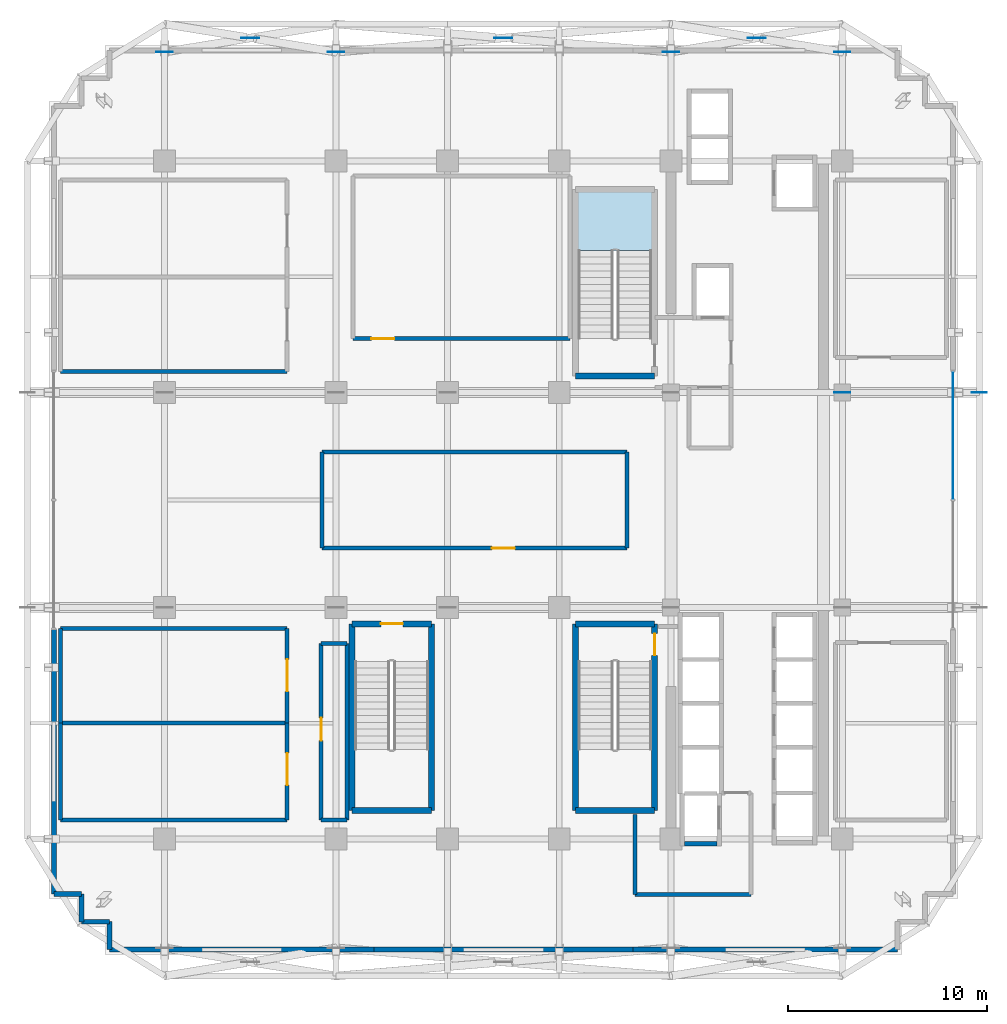
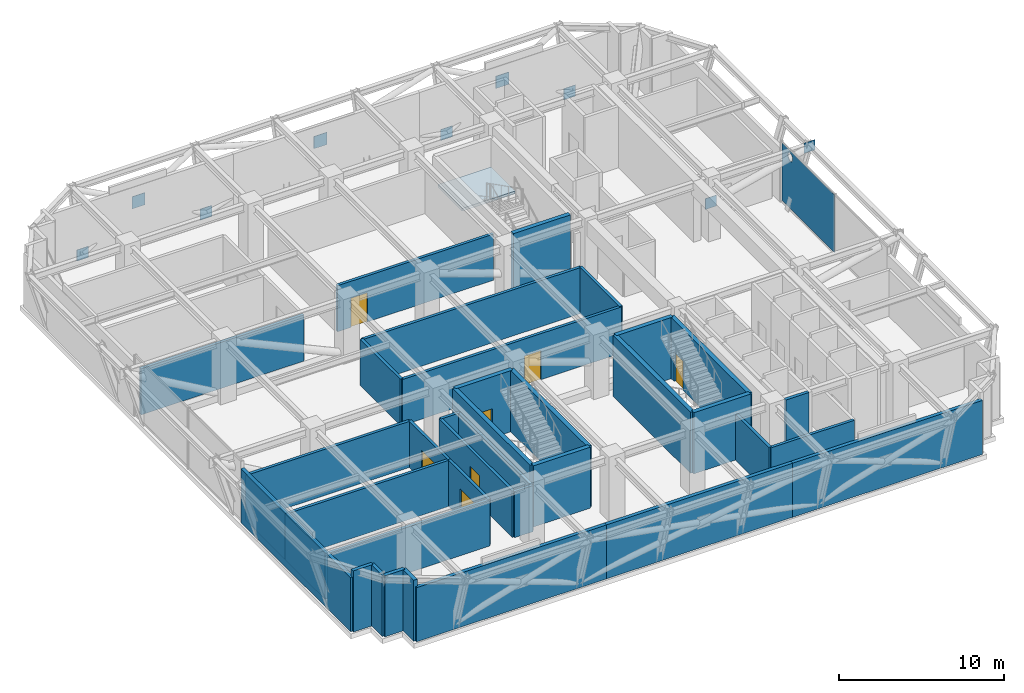
# One storey, part 9 of 16: 37 walls, 10 plates, 7 doors, 1 slab, 7 openings, 2 elements without a shape of their own.
"""IFC4 building model written with IfcOpenShell, lengths in metres."""

from ifc_helpers import new_model, si_unit, direction, frame, frame_2d, origin, origin_2d, place, context, subcontext, project, spatial, polyline, rectangle, outline, extrude, source, transform, mapped, material, layer, layer_set, type_object, element, fill, aggregate, save


model = new_model("IFC4")

# Units and contexts
model_context = context("Model", 3, precision=1e-05, world=origin(), true_north=direction((0.0, 1.0)))
body_context = subcontext(model_context, "Body", "Model", "MODEL_VIEW")
ifc_project = project(units=[si_unit("LENGTHUNIT", "METRE"), si_unit("AREAUNIT", "SQUARE_METRE"), si_unit("VOLUMEUNIT", "CUBIC_METRE"), si_unit("PLANEANGLEUNIT", "RADIAN"), si_unit("MASSUNIT", "GRAM", prefix="KILO")], contexts=[model_context])

# Site, building, storey
site_placement = place(None, origin())
site = spatial("IfcSite", under=ifc_project, at=site_placement, CompositionType="ELEMENT")
building_placement = place(site_placement, origin())
building = spatial("IfcBuilding", under=site, at=building_placement, Name="Nahalor Promenade Grand Hotel", CompositionType="ELEMENT")
storey_placement = place(building_placement, frame((0.0, 0.0, 200.10009765625)))
storey = spatial("IfcBuildingStorey", under=building, at=storey_placement, Name="L51", CompositionType="ELEMENT", Elevation=200.10009765625)

# Curtain wall, plate
ifc_material_1 = material(Name="Anodised Bronze Aluminium EN AW-6063 T6", Category="aluminium")
curtain_wall_type = type_object("IfcCurtainWallType", Name="CW6 Crown Botanical Conservatory Curtain Wall", PredefinedType="USERDEFINED", material=ifc_material_1)
curtain_wall_placement = place(storey_placement, origin())
curtain_wall = element("IfcCurtainWall", 1, at=curtain_wall_placement, inside=storey, type_object=curtain_wall_type, Name="L51 Curtain Wall CW-L51-E", ObjectType="UNITISED_CURTAIN_WALL", PredefinedType="USERDEFINED")
ifc_material_2 = material(Name="Low-E Laminated Solar Glass", Category="glass")
ifc_layer_1 = layer(ifc_material_2, 0.033935546875)
ifc_layer_set_1 = layer_set([ifc_layer_1], Name="Low-E Laminated Solar Glass")
plate_type_1 = type_object("IfcPlateType", Name="CWP6 Conservatory Solar-Select IGU 34mm", PredefinedType="CURTAIN_PANEL", material=ifc_layer_set_1)
plate_1_placement = place(storey_placement, frame((22.56005859375, 3.231201171875, 0.134765625), z_axis=(0.0, 0.0, 1.0), x_axis=(0.0, 1.0, 0.0)))
plate_1 = element("IfcPlate", 2, at=plate_1_placement, type_object=plate_type_1, Name="CW-L51-E Glazing Panel 1-0", PredefinedType="CURTAIN_PANEL", context=body_context, shape_type="SweptSolid", body=[
    extrude(outline(polyline([(-3.19384765625, 4.239990234375), (-3.19384765625, 0.0), (3.19384765625, 0.0), (3.19384765625, 4.239990234375), (-3.19384765625, 4.239990234375)]), holes=[polyline([(2.309814453125, 3.534423828125), (2.24169921875, 3.50537109375), (2.168701171875, 3.49560546875), (2.095703125, 3.50537109375), (2.02783203125, 3.534423828125), (1.969482421875, 3.58056640625), (1.9248046875, 3.640380859375), (1.89697265625, 3.7099609375), (1.887451171875, 3.782958984375), (1.887451171875, 3.794677734375), (1.89697265625, 3.86767578125), (1.9248046875, 3.937255859375), (1.969482421875, 3.997314453125), (2.02783203125, 4.043212890625), (2.095703125, 4.072265625), (2.168701171875, 4.082275390625), (2.24169921875, 4.072265625), (2.309814453125, 4.043212890625), (2.367919921875, 3.997314453125), (2.41259765625, 3.937255859375), (2.440673828125, 3.86767578125), (2.449951171875, 3.794677734375), (2.449951171875, 3.782958984375), (2.440673828125, 3.7099609375), (2.41259765625, 3.640380859375), (2.367919921875, 3.58056640625), (2.309814453125, 3.534423828125)])]), frame((0.0, 0.01708984375, 0.0), z_axis=(0.0, -1.0, 0.0), x_axis=(1.0, 0.0, 0.0)), (0.0, 0.0, 1.0), 0.033935546875),
])
aggregate(curtain_wall, [plate_1])

# Stair, slab
ifc_material_3 = material(Name="Concrete B-50 (C40/50)", Category="concrete")
stair_type = type_object("IfcStairType", Name="Stair-ST1", PredefinedType="HALF_TURN_STAIR", material=ifc_material_3)
stair_placement = place(storey_placement, origin())
stair = element("IfcStair", 3, at=stair_placement, inside=storey, type_object=stair_type, Name="L51 ST1", PredefinedType="HALF_TURN_STAIR")
ifc_layer_2 = layer(ifc_material_3, 0.199951171875)
ifc_layer_set_2 = layer_set([ifc_layer_2], Name="Concrete B-50 (C40/50)")
slab_type = type_object("IfcSlabType", Name="Landing-ST1", PredefinedType="LANDING", material=ifc_layer_set_2)
slab_placement = place(storey_placement, frame((0.0, 0.0, 2.199951171875)))
slab = element("IfcSlab", 4, at=slab_placement, type_object=slab_type, Name="ST1 landing 1", PredefinedType="LANDING", context=body_context, shape_type="SweptSolid", body=[
    extrude(outline(polyline([(7.449951171875, 12.52001953125), (7.449951171875, 15.449951171875), (3.75, 15.449951171875), (3.75, 12.52001953125), (7.449951171875, 12.52001953125)])), origin(), (0.0, 0.0, 1.0), 0.199951171875),
])
aggregate(stair, [slab])

# Plates
ifc_material_4 = material(Name="Steel S355J2", Category="steel")
ifc_layer_3 = layer(ifc_material_4, 0.035888671875)
ifc_layer_set_3 = layer_set([ifc_layer_3], Name="Steel S355J2")
plate_type_2 = type_object("IfcPlateType", Name="Plate-CrossGusset-36", PredefinedType="USERDEFINED", material=ifc_layer_set_3)
shared_shape_1 = source(origin(), body_context, "Body", "SweptSolid", [
    extrude(rectangle(XDim=0.89990234375, YDim=0.035888671875, at=origin_2d()), origin(), (0.0, 0.0, 1.0), 0.89990234375),
])
for number, where, z_axis, x_axis, name in (
    (5, (-12.699951171875, 23.179931640625, 1.824951171875), (0.0, 0.0, 1.0), (1.0, 0.0, 0.0), "PL-L51-BTX-N-0"),
    (6, (0.0, 23.179931640625, 1.824951171875), (0.0, 0.0, 1.0), (1.0, 0.0, 0.0), "PL-L51-BTX-N-1"),
    (7, (12.699951171875, 23.179931640625, 1.824951171875), (0.0, 0.0, 1.0), (1.0, 0.0, 0.0), "PL-L51-BTX-N-2"),
):
    element("IfcPlate", number, at=place(storey_placement, frame(where, z_axis=z_axis, x_axis=x_axis)), inside=storey, type_object=plate_type_2, Name=name, ObjectType="GUSSET_PLATE", PredefinedType="USERDEFINED", context=body_context, shape_type="MappedRepresentation", body=[
        mapped(shared_shape_1, transform((0.0, 0.0, 0.0), scale=1.0)),
    ])
ifc_layer_4 = layer(ifc_material_4, 0.031982421875)
ifc_layer_set_4 = layer_set([ifc_layer_4], Name="Steel S355J2")
plate_type_3 = type_object("IfcPlateType", Name="Plate-Gusset-32", PredefinedType="USERDEFINED", material=ifc_layer_set_4)
shared_shape_2 = source(origin(), body_context, "Body", "SweptSolid", [
    extrude(rectangle(XDim=0.800048828125, YDim=0.031982421875, at=origin_2d()), origin(), (0.0, 0.0, 1.0), 0.800048828125),
])
plate_2_placement = place(storey_placement, frame((17.0, 5.39990234375, 2.14990234375), z_axis=(0.0, 0.0, 1.0), x_axis=(1.0, 0.0, 0.0)))
element("IfcPlate", 8, at=plate_2_placement, inside=storey, type_object=plate_type_3, Name="PL-L51-OU-2-6", ObjectType="GUSSET_PLATE", PredefinedType="USERDEFINED", context=body_context, shape_type="MappedRepresentation", body=[
    mapped(shared_shape_2, transform((0.0, 0.0, 0.0), scale=1.0)),
])
ifc_material_5 = material(Name="Steel S355JR", Category="steel")
ifc_layer_5 = layer(ifc_material_5, 0.028076171875)
ifc_layer_set_5 = layer_set([ifc_layer_5], Name="Steel S355JR")
plate_type_4 = type_object("IfcPlateType", Name="Plate-Gusset-28", PredefinedType="USERDEFINED", material=ifc_layer_set_5)
shared_shape_3 = source(origin(), body_context, "Body", "SweptSolid", [
    extrude(rectangle(XDim=0.75, YDim=0.028076171875, at=origin_2d()), origin(), (0.0, 0.0, 1.0), 0.75),
])
plate_3_placement = place(storey_placement, frame((23.8798828125, 5.39990234375, 3.875), z_axis=(0.0, 0.0, 1.0), x_axis=(1.0, 0.0, 0.0)))
element("IfcPlate", 9, at=plate_3_placement, inside=storey, type_object=plate_type_4, Name="PL-L51-OU-2-7", ObjectType="GUSSET_PLATE", PredefinedType="USERDEFINED", context=body_context, shape_type="MappedRepresentation", body=[
    mapped(shared_shape_3, transform((0.0, 0.0, 0.0), scale=1.0)),
])
ifc_layer_6 = layer(ifc_material_4, 0.031982421875)
ifc_layer_set_6 = layer_set([ifc_layer_6], Name="Steel S355J2")
plate_type_5 = type_object("IfcPlateType", Name="Plate-BeltGusset-32", PredefinedType="USERDEFINED", material=ifc_layer_set_6)
shared_shape_4 = source(origin(), body_context, "Body", "SweptSolid", [
    extrude(rectangle(XDim=0.820068359375, YDim=0.031982421875, at=origin_2d()), origin(), (0.0, 0.0, 1.0), 0.820068359375),
])
for number, where, z_axis, x_axis, name in (
    (10, (-17.0, 22.47998046875, -0.1103515625), (0.0, 0.0, 1.0), (1.0, 0.0, 0.0), "PL-L51-BELT-N-1"),
    (11, (-8.39990234375, 22.47998046875, -0.1103515625), (0.0, 0.0, 1.0), (1.0, 0.0, 0.0), "PL-L51-BELT-N-2"),
    (12, (8.39990234375, 22.47998046875, -0.1103515625), (0.0, 0.0, 1.0), (1.0, 0.0, 0.0), "PL-L51-BELT-N-3"),
    (13, (17.0, 22.47998046875, -0.1103515625), (0.0, 0.0, 1.0), (1.0, 0.0, 0.0), "PL-L51-BELT-N-4"),
):
    element("IfcPlate", number, at=place(storey_placement, frame(where, z_axis=z_axis, x_axis=x_axis)), inside=storey, type_object=plate_type_5, Name=name, ObjectType="GUSSET_PLATE", PredefinedType="USERDEFINED", context=body_context, shape_type="MappedRepresentation", body=[
        mapped(shared_shape_4, transform((0.0, 0.0, 0.0), scale=1.0)),
    ])

# Walls
ifc_layer_7 = layer(ifc_material_3, 0.300048828125)
ifc_layer_set_7 = layer_set([ifc_layer_7], Name="Concrete B-50 (C40/50)")
wall_type_1 = type_object("IfcWallType", Name="Wall-ShaftShear-300", PredefinedType="SHEAR", material=ifc_layer_set_7)
shared_shape_5 = source(origin(), body_context, "Body", "SweptSolid", [
    extrude(rectangle(XDim=3.97998046875, YDim=0.300048828125, at=frame_2d((1.989990234375, 0.0))), origin(), (0.0, 0.0, 1.0), 4.510009765625),
])
for number, where, z_axis, x_axis, name in (
    (14, (3.610107421875, 6.2099609375, 0.0), (0.0, 0.0, 1.0), (1.0, 0.0, 0.0), "L51 Exit Stair ST1 Shaft Wall S"),
    (15, (3.610107421875, -15.590087890625, 0.0), (0.0, 0.0, 1.0), (1.0, 0.0, 0.0), "L51 Exit Stair ST2 Shaft Wall S"),
    (16, (3.610107421875, -6.2099609375, 0.0), (0.0, 0.0, 1.0), (1.0, 0.0, 0.0), "L51 Exit Stair ST2 Shaft Wall N"),
    (17, (-7.590087890625, -15.590087890625, 0.0), (0.0, 0.0, 1.0), (1.0, 0.0, 0.0), "L51 Exit Stair ST3 Shaft Wall S"),
):
    element("IfcWall", number, at=place(storey_placement, frame(where, z_axis=z_axis, x_axis=x_axis)), inside=storey, type_object=wall_type_1, Name=name, PredefinedType="SHEAR", context=body_context, shape_type="MappedRepresentation", body=[
        mapped(shared_shape_5, transform((0.0, 0.0, 0.0), scale=1.0)),
    ])

# Wall, opening, door
wall_1_placement = place(storey_placement, frame((-7.590087890625, -6.2099609375, 0.0), z_axis=(0.0, 0.0, 1.0), x_axis=(1.0, 0.0, 0.0)))
wall_1 = element("IfcWall", 18, at=wall_1_placement, inside=storey, type_object=wall_type_1, Name="L51 Exit Stair ST3 Shaft Wall N", PredefinedType="SHEAR", context=body_context, shape_type="MappedRepresentation", body=[
    mapped(shared_shape_5, transform((0.0, 0.0, 0.0), scale=1.0)),
])
opening_1_placement = place(wall_1_placement, frame((1.43994140625, 0.0, 0.0)))
opening_1 = element("IfcOpeningElement", 19, at=opening_1_placement, cuts=wall_1, Name="Opening D-ST1", PredefinedType="OPENING", context=body_context, shape_type="SweptSolid", body=[
    extrude(rectangle(XDim=1.10009765625, YDim=2.14990234375, at=frame_2d((0.550048828125, 1.074951171875))), frame((0.0, 0.159912109375, 0.0), z_axis=(0.0, -1.0, 0.0), x_axis=(1.0, 0.0, 0.0)), (0.0, 0.0, 1.0), 0.320068359375),
])
door_type_1 = type_object("IfcDoorType", Name="Door-StairFire-1100", OperationType="NOTDEFINED", PredefinedType="DOOR", material=ifc_material_5)
shared_shape_6 = source(origin(), body_context, "Body", "SweptSolid", [
    extrude(rectangle(XDim=1.10009765625, YDim=2.14990234375, at=frame_2d((0.550048828125, 1.074951171875))), frame((0.0, 0.02490234375, 0.0), z_axis=(0.0, -1.0, 0.0), x_axis=(1.0, 0.0, 0.0)), (0.0, 0.0, 1.0), 0.050048828125),
])
door_1_placement = place(opening_1_placement, frame((1.10009765625, 0.0, 0.0), z_axis=(0.0, 0.0, 1.0), x_axis=(-1.0, 0.0, 0.0)))
door_1 = element("IfcDoor", 20, at=door_1_placement, inside=storey, type_object=door_type_1, Name="DR-STAIR-ST3-L51", OperationType="SINGLE_SWING_RIGHT", OverallHeight=2.14990234375, OverallWidth=1.10009765625, PredefinedType="DOOR", context=body_context, shape_type="MappedRepresentation", body=[
    mapped(shared_shape_6, transform((0.0, 0.0, 0.0), scale=1.0)),
])
fill(opening_1, door_1)

# Wall
shared_shape_7 = source(origin(), body_context, "Body", "SweptSolid", [
    extrude(rectangle(XDim=9.380126953125, YDim=0.300048828125, at=frame_2d((4.68994140625, 0.0))), origin(), (0.0, 0.0, 1.0), 4.510009765625),
])
wall_2_placement = place(storey_placement, frame((3.610107421875, -15.590087890625, 0.0), z_axis=(0.0, 0.0, 1.0), x_axis=(0.0, 1.0, 0.0)))
element("IfcWall", 21, at=wall_2_placement, inside=storey, type_object=wall_type_1, Name="L51 Exit Stair ST2 Shaft Wall W", PredefinedType="SHEAR", context=body_context, shape_type="MappedRepresentation", body=[
    mapped(shared_shape_7, transform((0.0, 0.0, 0.0), scale=1.0)),
])

# Wall, opening, door
wall_3_placement = place(storey_placement, frame((7.590087890625, -15.590087890625, 0.0), z_axis=(0.0, 0.0, 1.0), x_axis=(0.0, 1.0, 0.0)))
wall_3 = element("IfcWall", 22, at=wall_3_placement, inside=storey, type_object=wall_type_1, Name="L51 Exit Stair ST2 Shaft Wall E", PredefinedType="SHEAR", context=body_context, shape_type="MappedRepresentation", body=[
    mapped(shared_shape_7, transform((0.0, 0.0, 0.0), scale=1.0)),
])
opening_2_placement = place(wall_3_placement, frame((7.7900390625, 0.0, 0.0)))
opening_2 = element("IfcOpeningElement", 23, at=opening_2_placement, cuts=wall_3, Name="Opening D-ST1", PredefinedType="OPENING", context=body_context, shape_type="SweptSolid", body=[
    extrude(rectangle(XDim=1.10009765625, YDim=2.14990234375, at=frame_2d((0.550048828125, 1.074951171875))), frame((0.0, 0.159912109375, 0.0), z_axis=(0.0, -1.0, 0.0), x_axis=(1.0, 0.0, 0.0)), (0.0, 0.0, 1.0), 0.320068359375),
])
door_2_placement = place(opening_2_placement, origin())
door_2 = element("IfcDoor", 24, at=door_2_placement, inside=storey, type_object=door_type_1, Name="DR-STAIR-ST2-L51", OperationType="SINGLE_SWING_RIGHT", OverallHeight=2.14990234375, OverallWidth=1.10009765625, PredefinedType="DOOR", context=body_context, shape_type="MappedRepresentation", body=[
    mapped(shared_shape_6, transform((0.0, 0.0, 0.0), scale=1.0)),
])
fill(opening_2, door_2)

# Walls
for number, where, z_axis, x_axis, name in (
    (25, (-7.590087890625, -15.590087890625, 0.0), (0.0, 0.0, 1.0), (0.0, 1.0, 0.0), "L51 Exit Stair ST3 Shaft Wall W"),
    (26, (-3.610107421875, -15.590087890625, 0.0), (0.0, 0.0, 1.0), (0.0, 1.0, 0.0), "L51 Exit Stair ST3 Shaft Wall E"),
):
    element("IfcWall", number, at=place(storey_placement, frame(where, z_axis=z_axis, x_axis=x_axis)), inside=storey, type_object=wall_type_1, Name=name, PredefinedType="SHEAR", context=body_context, shape_type="MappedRepresentation", body=[
        mapped(shared_shape_7, transform((0.0, 0.0, 0.0), scale=1.0)),
    ])
ifc_layer_8 = layer(ifc_material_3, 0.219970703125)
ifc_layer_set_8 = layer_set([ifc_layer_8], Name="Concrete B-50 (C40/50)")
wall_type_2 = type_object("IfcWallType", Name="Wall-LiftShaft-220", PredefinedType="SHEAR", material=ifc_layer_set_8)
shared_shape_8 = source(origin(), body_context, "Body", "SweptSolid", [
    extrude(rectangle(XDim=1.619873046875, YDim=0.219970703125, at=frame_2d((0.81005859375, 0.0))), origin(), (0.0, 0.0, 1.0), 4.510009765625),
])
wall_4_placement = place(storey_placement, frame((9.090087890625, -17.25, 0.0), z_axis=(0.0, 0.0, 1.0), x_axis=(1.0, 0.0, 0.0)))
element("IfcWall", 27, at=wall_4_placement, inside=storey, type_object=wall_type_2, Name="L51 Lift FL2 Hoistway Wall S", PredefinedType="SHEAR", context=body_context, shape_type="MappedRepresentation", body=[
    mapped(shared_shape_8, transform((0.0, 0.0, 0.0), scale=1.0)),
])
ifc_material_6 = material(Name="Concrete B-40 (C32/40)", Category="concrete")
ifc_layer_9 = layer(ifc_material_6, 0.25)
ifc_layer_set_9 = layer_set([ifc_layer_9], Name="Concrete B-40 (C32/40)")
wall_type_3 = type_object("IfcWallType", Name="Wall-BronzePier-250", PredefinedType="STANDARD", material=ifc_layer_set_9)
shared_shape_9 = source(origin(), body_context, "Body", "SweptSolid", [
    extrude(rectangle(XDim=1.400146484375, YDim=0.25, at=frame_2d((0.7001953125, 0.0))), origin(), (0.0, 0.0, 1.0), 4.510009765625),
])
for number, where, z_axis, x_axis, name in (
    (28, (-22.56005859375, -19.760009765625, 0.0), (0.0, 0.0, 1.0), (1.0, 0.0, 0.0), "W-L51-SR-13"),
    (29, (-19.760009765625, -22.56005859375, 0.0), (0.0, 0.0, 1.0), (0.0, 1.0, 0.0), "W-L51-SR-16"),
):
    element("IfcWall", number, at=place(storey_placement, frame(where, z_axis=z_axis, x_axis=x_axis)), inside=storey, type_object=wall_type_3, Name=name, PredefinedType="STANDARD", context=body_context, shape_type="MappedRepresentation", body=[
        mapped(shared_shape_9, transform((0.0, 0.0, 0.0), scale=1.0)),
    ])
shared_shape_10 = source(origin(), body_context, "Body", "SweptSolid", [
    extrude(rectangle(XDim=1.39990234375, YDim=0.25, at=frame_2d((0.699951171875, 0.0))), origin(), (0.0, 0.0, 1.0), 4.510009765625),
])
for number, where, z_axis, x_axis, name in (
    (30, (-21.159912109375, -21.159912109375, 0.0), (0.0, 0.0, 1.0), (0.0, 1.0, 0.0), "W-L51-SR-14"),
    (31, (-21.159912109375, -21.159912109375, 0.0), (0.0, 0.0, 1.0), (1.0, 0.0, 0.0), "W-L51-SR-15"),
):
    element("IfcWall", number, at=place(storey_placement, frame(where, z_axis=z_axis, x_axis=x_axis)), inside=storey, type_object=wall_type_3, Name=name, PredefinedType="STANDARD", context=body_context, shape_type="MappedRepresentation", body=[
        mapped(shared_shape_10, transform((0.0, 0.0, 0.0), scale=1.0)),
    ])
shared_shape_11 = source(origin(), body_context, "Body", "SweptSolid", [
    extrude(rectangle(XDim=13.260009765625, YDim=0.25, at=frame_2d((6.6298828125, 0.0))), origin(), (0.0, 0.0, 1.0), 3.989990234375),
])
for number, where, z_axis, x_axis, name in (
    (32, (-19.760009765625, -22.56005859375, 0.0), (0.0, 0.0, 1.0), (1.0, 0.0, 0.0), "W-L51-PL-SL"),
    (33, (6.5, -22.56005859375, 0.0), (0.0, 0.0, 1.0), (1.0, 0.0, 0.0), "W-L51-PL-SR"),
    (34, (-22.56005859375, -19.760009765625, 0.0), (0.0, 0.0, 1.0), (0.0, 1.0, 0.0), "W-L51-PL-WL"),
):
    element("IfcWall", number, at=place(storey_placement, frame(where, z_axis=z_axis, x_axis=x_axis)), inside=storey, type_object=wall_type_3, Name=name, PredefinedType="STANDARD", context=body_context, shape_type="MappedRepresentation", body=[
        mapped(shared_shape_11, transform((0.0, 0.0, 0.0), scale=1.0)),
    ])
shared_shape_12 = source(origin(), body_context, "Body", "SweptSolid", [
    extrude(rectangle(XDim=13.0, YDim=0.25, at=frame_2d((6.5, 0.0))), origin(), (0.0, 0.0, 1.0), 3.989990234375),
])
wall_5_placement = place(storey_placement, frame((-6.5, -22.56005859375, 0.0), z_axis=(0.0, 0.0, 1.0), x_axis=(1.0, 0.0, 0.0)))
element("IfcWall", 35, at=wall_5_placement, inside=storey, type_object=wall_type_3, Name="W-L51-PL-SM", PredefinedType="STANDARD", context=body_context, shape_type="MappedRepresentation", body=[
    mapped(shared_shape_12, transform((0.0, 0.0, 0.0), scale=1.0)),
])
ifc_layer_10 = layer(ifc_material_6, 0.199951171875)
ifc_layer_set_10 = layer_set([ifc_layer_10], Name="Concrete B-40 (C32/40)")
wall_type_4 = type_object("IfcWallType", Name="Wall-PartFire-200", PredefinedType="PARTITIONING", material=ifc_layer_set_10)
shared_shape_13 = source(origin(), body_context, "Body", "SweptSolid", [
    extrude(rectangle(XDim=5.81982421875, YDim=0.199951171875, at=frame_2d((2.909912109375, 0.0))), origin(), (0.0, 0.0, 1.0), 3.39990234375),
])
wall_6_placement = place(storey_placement, frame((6.60009765625, -19.800048828125, 0.0), z_axis=(0.0, 0.0, 1.0), x_axis=(1.0, 0.0, 0.0)))
element("IfcWall", 36, at=wall_6_placement, inside=storey, type_object=wall_type_4, Name="W-L51-FF2-S1", PredefinedType="PARTITIONING", context=body_context, shape_type="MappedRepresentation", body=[
    mapped(shared_shape_13, transform((0.0, 0.0, 0.0), scale=1.0)),
])
shared_shape_14 = source(origin(), body_context, "Body", "SweptSolid", [
    extrude(rectangle(XDim=4.030029296875, YDim=0.199951171875, at=frame_2d((2.01513671875, 0.0))), origin(), (0.0, 0.0, 1.0), 3.39990234375),
])
wall_7_placement = place(storey_placement, frame((6.60009765625, -19.800048828125, 0.0), z_axis=(0.0, 0.0, 1.0), x_axis=(0.0, 1.0, 0.0)))
element("IfcWall", 37, at=wall_7_placement, inside=storey, type_object=wall_type_4, Name="W-L51-FF2-W1", PredefinedType="PARTITIONING", context=body_context, shape_type="MappedRepresentation", body=[
    mapped(shared_shape_14, transform((0.0, 0.0, 0.0), scale=1.0)),
])

# Wall, opening, door
shared_shape_15 = source(origin(), body_context, "Body", "SweptSolid", [
    extrude(rectangle(XDim=10.89013671875, YDim=0.199951171875, at=frame_2d((5.445068359375, 0.0))), origin(), (0.0, 0.0, 1.0), 3.39990234375),
])
wall_8_placement = place(storey_placement, frame((-7.550048828125, 8.10009765625, 0.0), z_axis=(0.0, 0.0, 1.0), x_axis=(1.0, 0.0, 0.0)))
wall_8 = element("IfcWall", 38, at=wall_8_placement, inside=storey, type_object=wall_type_4, Name="W-L51-REF2-S", PredefinedType="PARTITIONING", context=body_context, shape_type="MappedRepresentation", body=[
    mapped(shared_shape_15, transform((0.0, 0.0, 0.0), scale=1.0)),
])
opening_3_placement = place(wall_8_placement, frame((0.925048828125, 0.0, 0.0)))
opening_3 = element("IfcOpeningElement", 39, at=opening_3_placement, cuts=wall_8, Name="Opening D-FF1", PredefinedType="OPENING", context=body_context, shape_type="SweptSolid", body=[
    extrude(rectangle(XDim=1.14990234375, YDim=2.14990234375, at=frame_2d((0.574951171875, 1.074951171875))), frame((0.0, 0.10986328125, 0.0), z_axis=(0.0, -1.0, 0.0), x_axis=(1.0, 0.0, 0.0)), (0.0, 0.0, 1.0), 0.219970703125),
])
door_type_2 = type_object("IfcDoorType", Name="Door-FFLobby-1150", OperationType="NOTDEFINED", PredefinedType="DOOR", material=ifc_material_5)
shared_shape_16 = source(origin(), body_context, "Body", "SweptSolid", [
    extrude(rectangle(XDim=1.14990234375, YDim=2.14990234375, at=frame_2d((0.574951171875, 1.074951171875))), frame((0.0, 0.02490234375, 0.0), z_axis=(0.0, -1.0, 0.0), x_axis=(1.0, 0.0, 0.0)), (0.0, 0.0, 1.0), 0.050048828125),
])
door_3_placement = place(opening_3_placement, origin())
door_3 = element("IfcDoor", 40, at=door_3_placement, inside=storey, type_object=door_type_2, Name="DR-L51-REF2", OperationType="SINGLE_SWING_LEFT", OverallHeight=2.14990234375, OverallWidth=1.14990234375, PredefinedType="DOOR", context=body_context, shape_type="MappedRepresentation", body=[
    mapped(shared_shape_16, transform((0.0, 0.0, 0.0), scale=1.0)),
])
fill(opening_3, door_3)

shared_shape_17 = source(origin(), body_context, "Body", "SweptSolid", [
    extrude(rectangle(XDim=15.300048828125, YDim=0.199951171875, at=frame_2d((7.64990234375, 0.0))), origin(), (0.0, 0.0, 1.0), 3.39990234375),
])
wall_9_placement = place(storey_placement, frame((-9.10009765625, -2.419921875, 0.0), z_axis=(0.0, 0.0, 1.0), x_axis=(1.0, 0.0, 0.0)))
wall_9 = element("IfcWall", 41, at=wall_9_placement, inside=storey, type_object=wall_type_4, Name="W-L51-REF3-S", PredefinedType="PARTITIONING", context=body_context, shape_type="MappedRepresentation", body=[
    mapped(shared_shape_17, transform((0.0, 0.0, 0.0), scale=1.0)),
])
opening_4_placement = place(wall_9_placement, frame((8.52490234375, 0.0, 0.0)))
opening_4 = element("IfcOpeningElement", 42, at=opening_4_placement, cuts=wall_9, Name="Opening D-FF1", PredefinedType="OPENING", context=body_context, shape_type="SweptSolid", body=[
    extrude(rectangle(XDim=1.14990234375, YDim=2.14990234375, at=frame_2d((0.574951171875, 1.074951171875))), frame((0.0, 0.10986328125, 0.0), z_axis=(0.0, -1.0, 0.0), x_axis=(1.0, 0.0, 0.0)), (0.0, 0.0, 1.0), 0.219970703125),
])
door_4_placement = place(opening_4_placement, origin())
door_4 = element("IfcDoor", 43, at=door_4_placement, inside=storey, type_object=door_type_2, Name="DR-L51-REF3", OperationType="SINGLE_SWING_RIGHT", OverallHeight=2.14990234375, OverallWidth=1.14990234375, PredefinedType="DOOR", context=body_context, shape_type="MappedRepresentation", body=[
    mapped(shared_shape_16, transform((0.0, 0.0, 0.0), scale=1.0)),
])
fill(opening_4, door_4)

# Walls
wall_10_placement = place(storey_placement, frame((-9.10009765625, 2.419921875, 0.0), z_axis=(0.0, 0.0, 1.0), x_axis=(1.0, 0.0, 0.0)))
element("IfcWall", 44, at=wall_10_placement, inside=storey, type_object=wall_type_4, Name="W-L51-REF3-N", PredefinedType="PARTITIONING", context=body_context, shape_type="MappedRepresentation", body=[
    mapped(shared_shape_17, transform((0.0, 0.0, 0.0), scale=1.0)),
])
shared_shape_18 = source(origin(), body_context, "Body", "SweptSolid", [
    extrude(rectangle(XDim=4.83984375, YDim=0.199951171875, at=frame_2d((2.419921875, 0.0))), origin(), (0.0, 0.0, 1.0), 3.39990234375),
])
for number, where, z_axis, x_axis, name in (
    (45, (-9.10009765625, -2.419921875, 0.0), (0.0, 0.0, 1.0), (0.0, 1.0, 0.0), "W-L51-REF3-W"),
    (46, (6.199951171875, -2.419921875, 0.0), (0.0, 0.0, 1.0), (0.0, 1.0, 0.0), "W-L51-REF3-E"),
):
    element("IfcWall", number, at=place(storey_placement, frame(where, z_axis=z_axis, x_axis=x_axis)), inside=storey, type_object=wall_type_4, Name=name, PredefinedType="PARTITIONING", context=body_context, shape_type="MappedRepresentation", body=[
        mapped(shared_shape_18, transform((0.0, 0.0, 0.0), scale=1.0)),
    ])
shared_shape_19 = source(origin(), body_context, "Body", "SweptSolid", [
    extrude(rectangle(XDim=1.2998046875, YDim=0.199951171875, at=frame_2d((0.64990234375, 0.0))), origin(), (0.0, 0.0, 1.0), 3.39990234375),
])
for number, where, z_axis, x_axis, name in (
    (47, (-9.14990234375, -16.050048828125, 0.0), (0.0, 0.0, 1.0), (1.0, 0.0, 0.0), "W-L51-REF4-S"),
    (48, (-9.14990234375, -7.199951171875, 0.0), (0.0, 0.0, 1.0), (1.0, 0.0, 0.0), "W-L51-REF4-N"),
):
    element("IfcWall", number, at=place(storey_placement, frame(where, z_axis=z_axis, x_axis=x_axis)), inside=storey, type_object=wall_type_4, Name=name, PredefinedType="PARTITIONING", context=body_context, shape_type="MappedRepresentation", body=[
        mapped(shared_shape_19, transform((0.0, 0.0, 0.0), scale=1.0)),
    ])

# Wall, opening, door
shared_shape_20 = source(origin(), body_context, "Body", "SweptSolid", [
    extrude(rectangle(XDim=8.85009765625, YDim=0.199951171875, at=frame_2d((4.425048828125, 0.0))), origin(), (0.0, 0.0, 1.0), 3.39990234375),
])
wall_11_placement = place(storey_placement, frame((-9.14990234375, -16.050048828125, 0.0), z_axis=(0.0, 0.0, 1.0), x_axis=(0.0, 1.0, 0.0)))
wall_11 = element("IfcWall", 49, at=wall_11_placement, inside=storey, type_object=wall_type_4, Name="W-L51-REF4-W", PredefinedType="PARTITIONING", context=body_context, shape_type="MappedRepresentation", body=[
    mapped(shared_shape_20, transform((0.0, 0.0, 0.0), scale=1.0)),
])
opening_5_placement = place(wall_11_placement, frame((3.97509765625, 0.0, 0.0)))
opening_5 = element("IfcOpeningElement", 50, at=opening_5_placement, cuts=wall_11, Name="Opening D-FF1", PredefinedType="OPENING", context=body_context, shape_type="SweptSolid", body=[
    extrude(rectangle(XDim=1.14990234375, YDim=2.14990234375, at=frame_2d((0.574951171875, 1.074951171875))), frame((0.0, 0.10986328125, 0.0), z_axis=(0.0, -1.0, 0.0), x_axis=(1.0, 0.0, 0.0)), (0.0, 0.0, 1.0), 0.219970703125),
])
door_5_placement = place(opening_5_placement, frame((1.14990234375, 0.0, 0.0), z_axis=(0.0, 0.0, 1.0), x_axis=(-1.0, 0.0, 0.0)))
door_5 = element("IfcDoor", 51, at=door_5_placement, inside=storey, type_object=door_type_2, Name="DR-L51-REF4", OperationType="SINGLE_SWING_LEFT", OverallHeight=2.14990234375, OverallWidth=1.14990234375, PredefinedType="DOOR", context=body_context, shape_type="MappedRepresentation", body=[
    mapped(shared_shape_16, transform((0.0, 0.0, 0.0), scale=1.0)),
])
fill(opening_5, door_5)

# Walls
wall_12_placement = place(storey_placement, frame((-7.85009765625, -16.050048828125, 0.0), z_axis=(0.0, 0.0, 1.0), x_axis=(0.0, 1.0, 0.0)))
element("IfcWall", 52, at=wall_12_placement, inside=storey, type_object=wall_type_4, Name="W-L51-REF4-E", PredefinedType="PARTITIONING", context=body_context, shape_type="MappedRepresentation", body=[
    mapped(shared_shape_20, transform((0.0, 0.0, 0.0), scale=1.0)),
])
shared_shape_21 = source(origin(), body_context, "Body", "SweptSolid", [
    extrude(rectangle(XDim=11.369873046875, YDim=0.199951171875, at=frame_2d((5.68505859375, 0.0))), origin(), (0.0, 0.0, 1.0), 3.39990234375),
])
for number, where, z_axis, x_axis, name in (
    (53, (-22.219970703125, 6.449951171875, 0.0), (0.0, 0.0, 1.0), (1.0, 0.0, 0.0), "W-L51-MP1-S"),
    (54, (-22.219970703125, -11.199951171875, 0.0), (0.0, 0.0, 1.0), (1.0, 0.0, 0.0), "W-L51-MP3-S"),
    (55, (-22.219970703125, -6.449951171875, 0.0), (0.0, 0.0, 1.0), (1.0, 0.0, 0.0), "W-L51-MP3-N"),
    (56, (-22.219970703125, -16.050048828125, 0.0), (0.0, 0.0, 1.0), (1.0, 0.0, 0.0), "W-L51-MP4-S"),
):
    element("IfcWall", number, at=place(storey_placement, frame(where, z_axis=z_axis, x_axis=x_axis)), inside=storey, type_object=wall_type_4, Name=name, PredefinedType="PARTITIONING", context=body_context, shape_type="MappedRepresentation", body=[
        mapped(shared_shape_21, transform((0.0, 0.0, 0.0), scale=1.0)),
    ])
shared_shape_22 = source(origin(), body_context, "Body", "SweptSolid", [
    extrude(rectangle(XDim=4.75, YDim=0.199951171875, at=frame_2d((2.375, 0.0))), origin(), (0.0, 0.0, 1.0), 3.39990234375),
])
wall_13_placement = place(storey_placement, frame((-22.219970703125, -11.199951171875, 0.0), z_axis=(0.0, 0.0, 1.0), x_axis=(0.0, 1.0, 0.0)))
element("IfcWall", 57, at=wall_13_placement, inside=storey, type_object=wall_type_4, Name="W-L51-MP3-W", PredefinedType="PARTITIONING", context=body_context, shape_type="MappedRepresentation", body=[
    mapped(shared_shape_22, transform((0.0, 0.0, 0.0), scale=1.0)),
])

# Wall, opening, door
wall_14_placement = place(storey_placement, frame((-10.85009765625, -11.199951171875, 0.0), z_axis=(0.0, 0.0, 1.0), x_axis=(0.0, 1.0, 0.0)))
wall_14 = element("IfcWall", 58, at=wall_14_placement, inside=storey, type_object=wall_type_4, Name="W-L51-MP3-E", PredefinedType="PARTITIONING", context=body_context, shape_type="MappedRepresentation", body=[
    mapped(shared_shape_22, transform((0.0, 0.0, 0.0), scale=1.0)),
])
opening_6_placement = place(wall_14_placement, frame((1.60009765625, 0.0, 0.0)))
opening_6 = element("IfcOpeningElement", 59, at=opening_6_placement, cuts=wall_14, Name="Opening D-06", PredefinedType="OPENING", context=body_context, shape_type="SweptSolid", body=[
    extrude(rectangle(XDim=1.60009765625, YDim=2.14990234375, at=frame_2d((0.800048828125, 1.074951171875))), frame((0.0, 0.10986328125, 0.0), z_axis=(0.0, -1.0, 0.0), x_axis=(1.0, 0.0, 0.0)), (0.0, 0.0, 1.0), 0.219970703125),
])
door_type_3 = type_object("IfcDoorType", Name="Door-PlantDouble-1600", OperationType="DOUBLE_DOOR_SINGLE_SWING", PredefinedType="DOOR", material=ifc_material_5)
shared_shape_23 = source(origin(), body_context, "Body", "SweptSolid", [
    extrude(rectangle(XDim=1.60009765625, YDim=2.14990234375, at=frame_2d((0.800048828125, 1.074951171875))), frame((0.0, 0.02490234375, 0.0), z_axis=(0.0, -1.0, 0.0), x_axis=(1.0, 0.0, 0.0)), (0.0, 0.0, 1.0), 0.050048828125),
])
door_6_placement = place(opening_6_placement, origin())
door_6 = element("IfcDoor", 60, at=door_6_placement, inside=storey, type_object=door_type_3, Name="DR-L51-MP3", OperationType="DOUBLE_DOOR_SINGLE_SWING", OverallHeight=2.14990234375, OverallWidth=1.60009765625, PredefinedType="DOOR", context=body_context, shape_type="MappedRepresentation", body=[
    mapped(shared_shape_23, transform((0.0, 0.0, 0.0), scale=1.0)),
])
fill(opening_6, door_6)

# Wall
shared_shape_24 = source(origin(), body_context, "Body", "SweptSolid", [
    extrude(rectangle(XDim=4.85009765625, YDim=0.199951171875, at=frame_2d((2.425048828125, 0.0))), origin(), (0.0, 0.0, 1.0), 3.39990234375),
])
wall_15_placement = place(storey_placement, frame((-22.219970703125, -16.050048828125, 0.0), z_axis=(0.0, 0.0, 1.0), x_axis=(0.0, 1.0, 0.0)))
element("IfcWall", 61, at=wall_15_placement, inside=storey, type_object=wall_type_4, Name="W-L51-MP4-W", PredefinedType="PARTITIONING", context=body_context, shape_type="MappedRepresentation", body=[
    mapped(shared_shape_24, transform((0.0, 0.0, 0.0), scale=1.0)),
])

# Wall, opening, door
wall_16_placement = place(storey_placement, frame((-10.85009765625, -16.050048828125, 0.0), z_axis=(0.0, 0.0, 1.0), x_axis=(0.0, 1.0, 0.0)))
wall_16 = element("IfcWall", 62, at=wall_16_placement, inside=storey, type_object=wall_type_4, Name="W-L51-MP4-E", PredefinedType="PARTITIONING", context=body_context, shape_type="MappedRepresentation", body=[
    mapped(shared_shape_24, transform((0.0, 0.0, 0.0), scale=1.0)),
])
opening_7_placement = place(wall_16_placement, frame((1.75, 0.0, 0.0)))
opening_7 = element("IfcOpeningElement", 63, at=opening_7_placement, cuts=wall_16, Name="Opening D-06", PredefinedType="OPENING", context=body_context, shape_type="SweptSolid", body=[
    extrude(rectangle(XDim=1.60009765625, YDim=2.14990234375, at=frame_2d((0.800048828125, 1.074951171875))), frame((0.0, 0.10986328125, 0.0), z_axis=(0.0, -1.0, 0.0), x_axis=(1.0, 0.0, 0.0)), (0.0, 0.0, 1.0), 0.219970703125),
])
door_7_placement = place(opening_7_placement, origin())
door_7 = element("IfcDoor", 64, at=door_7_placement, inside=storey, type_object=door_type_3, Name="DR-L51-MP4", OperationType="DOUBLE_DOOR_SINGLE_SWING", OverallHeight=2.14990234375, OverallWidth=1.60009765625, PredefinedType="DOOR", context=body_context, shape_type="MappedRepresentation", body=[
    mapped(shared_shape_23, transform((0.0, 0.0, 0.0), scale=1.0)),
])
fill(opening_7, door_7)

save(model, "model.ifc")
